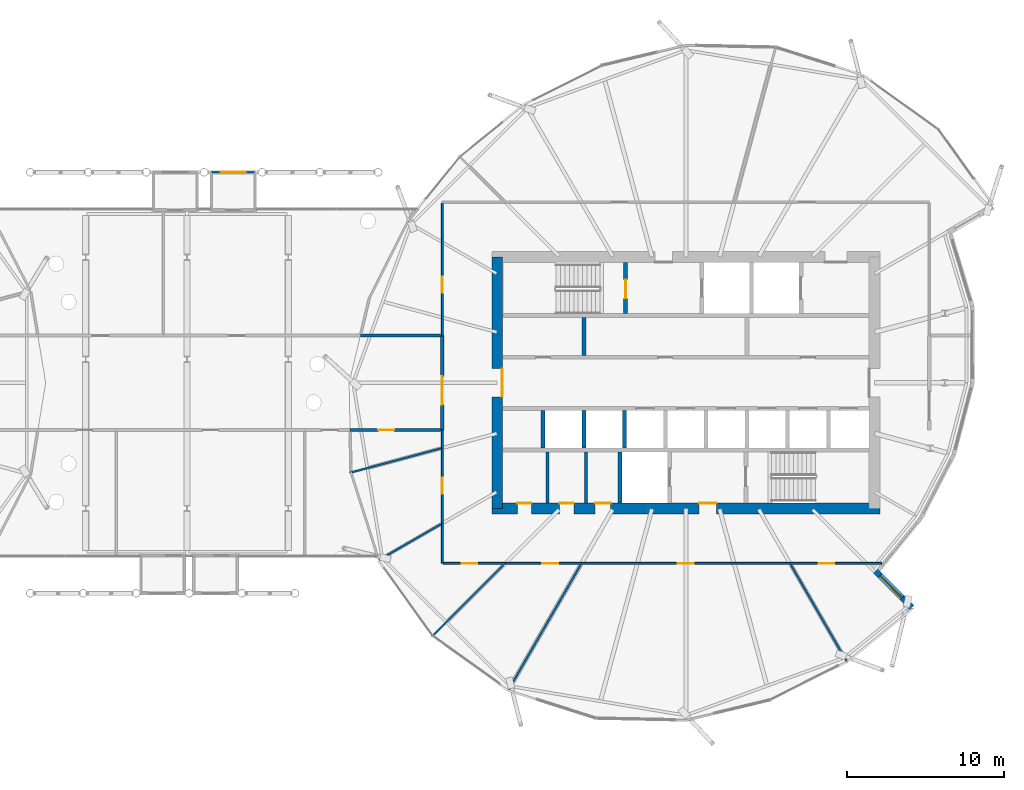
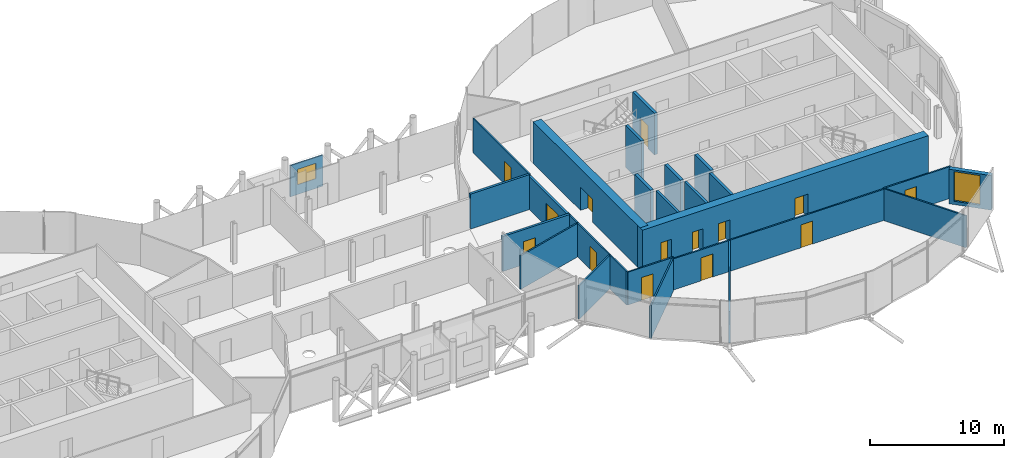
# One storey, part 27 of 39: 28 walls, 14 doors, 2 windows, 16 openings.
"""IFC4 building model written with IfcOpenShell, lengths in metres."""

from ifc_helpers import new_model, si_unit, direction, frame, frame_2d, origin, place, context, subcontext, project, spatial, rectangle, extrude, material, layer, layer_set, type_object, element, fill, save


model = new_model("IFC4")

# Units and contexts
model_context = context("Model", 3, precision=1e-05, world=origin(), true_north=direction((0.0, 1.0)))
body_context = subcontext(model_context, "Body", "Model", "MODEL_VIEW")
ifc_project = project(units=[si_unit("LENGTHUNIT", "METRE"), si_unit("AREAUNIT", "SQUARE_METRE"), si_unit("VOLUMEUNIT", "CUBIC_METRE"), si_unit("PLANEANGLEUNIT", "RADIAN"), si_unit("MASSUNIT", "GRAM", prefix="KILO")], contexts=[model_context])

# Site, building, storey
site_placement = place(None, origin())
site = spatial("IfcSite", under=ifc_project, at=site_placement, CompositionType="ELEMENT")
building_placement = place(site_placement, origin())
building = spatial("IfcBuilding", under=site, at=building_placement, Name="Rimbun Link Towers", CompositionType="ELEMENT")
storey_placement = place(building_placement, frame((0.0, 0.0, 143.0)))
storey = spatial("IfcBuildingStorey", under=building, at=storey_placement, Name="L34", CompositionType="ELEMENT", Elevation=143.0)

# Wall, opening, window
ifc_material_1 = material(Name="Terracotta-faced insulated sandwich panel", Category="masonry")
ifc_layer_1 = layer(ifc_material_1, 0.10009765625)
ifc_layer_set_1 = layer_set([ifc_layer_1], Name="CAPSULE shell panel 100")
wall_type_1 = type_object("IfcWallType", Name="CAPSULE shell panel 100", PredefinedType="STANDARD", material=ifc_layer_set_1)
wall_1_placement = place(storey_placement, frame((4.336669921875, 13.39990234375, -0.06005859375), z_axis=(0.0, 0.0, 1.0), x_axis=(-1.0, 0.0, 0.0)))
wall_1 = element("IfcWall", 1, at=wall_1_placement, inside=storey, type_object=wall_type_1, Name="CAPSULE F34.02 shell panel 2", PredefinedType="STANDARD", context=body_context, shape_type="SweptSolid", body=[
    extrude(rectangle(XDim=2.7998046875, YDim=0.10009765625, at=frame_2d((1.39990234375, 0.0))), origin(), (0.0, 0.0, 1.0), 2.85009765625),
])
opening_1_placement = place(wall_1_placement, frame((0.60009765625, 0.0, 0.89990234375)))
opening_1 = element("IfcOpeningElement", 2, at=opening_1_placement, cuts=wall_1, Name="Opening CN34.02", PredefinedType="OPENING", context=body_context, shape_type="SweptSolid", body=[
    extrude(rectangle(XDim=1.60009765625, YDim=1.39990234375, at=frame_2d((0.800048828125, 0.699951171875))), frame((0.0, 0.06005859375, 0.0), z_axis=(0.0, -1.0, 0.0), x_axis=(1.0, 0.0, 0.0)), (0.0, 0.0, 1.0), 0.1201171875),
])
ifc_material_2 = material(Name="Aluminium framed window, low-iron glass", Category="aluminium")
window_type_1 = type_object("IfcWindowType", Name="CAPSULE window 1600X1400", PartitioningType="SINGLE_PANEL", PredefinedType="WINDOW", material=ifc_material_2)
window_1_placement = place(opening_1_placement, origin())
window_1 = element("IfcWindow", 3, at=window_1_placement, inside=storey, type_object=window_type_1, Name="CAPSULE F34.02 window", OverallHeight=1.39990234375, OverallWidth=1.60009765625, PartitioningType="SINGLE_PANEL", PredefinedType="WINDOW", context=body_context, shape_type="SweptSolid", body=[
    extrude(rectangle(XDim=1.60009765625, YDim=1.39990234375, at=frame_2d((0.800048828125, 0.699951171875))), frame((0.0, 0.030029296875, 0.0), z_axis=(0.0, -1.0, 0.0), x_axis=(1.0, 0.0, 0.0)), (0.0, 0.0, 1.0), 0.06005859375),
])
fill(opening_1, window_1)

ifc_material_3 = material(Name="Dark enamelled glass spandrel on insulated aluminium backpan", Category="aluminium")
ifc_layer_2 = layer(ifc_material_3, 0.3701171875)
ifc_layer_set_2 = layer_set([ifc_layer_2], Name="CS dark enamelled spandrel wall 370")
wall_type_2 = type_object("IfcWallType", Name="CS dark enamelled spandrel wall 370", PredefinedType="STANDARD", material=ifc_layer_set_2)
wall_2_placement = place(storey_placement, frame((43.827880859375, -11.98583984375, 0.0), z_axis=(0.0, 0.0, 1.0), x_axis=(0.707106781187, -0.707106781187, 0.0)))
wall_2 = element("IfcWall", 4, at=wall_2_placement, inside=storey, type_object=wall_type_2, Name="Crease spandrel wall", PredefinedType="STANDARD", context=body_context, shape_type="SweptSolid", body=[
    extrude(rectangle(XDim=3.280029296875, YDim=0.3701171875, at=frame_2d((1.64013671875, 0.0))), origin(), (0.0, 0.0, 1.0), 3.156494140625),
])
opening_2_placement = place(wall_2_placement, frame((0.404296875, 0.0, 0.300048828125)))
opening_2 = element("IfcOpeningElement", 5, at=opening_2_placement, cuts=wall_2, Name="Opening WR20H270", PredefinedType="OPENING", context=body_context, shape_type="SweptSolid", body=[
    extrude(rectangle(XDim=2.0, YDim=2.699951171875, at=frame_2d((1.0, 1.35009765625))), frame((0.0, 0.195068359375, 0.0), z_axis=(0.0, -1.0, 0.0), x_axis=(1.0, 0.0, 0.0)), (0.0, 0.0, 1.0), 0.39013671875),
])
ifc_material_4 = material(Name="Aluminium framed fixed window, dark tinted low-e glass", Category="aluminium")
window_type_2 = type_object("IfcWindowType", Name="WR ribbon window 2000X2700", PartitioningType="SINGLE_PANEL", PredefinedType="WINDOW", material=ifc_material_4)
window_2_placement = place(opening_2_placement, origin())
window_2 = element("IfcWindow", 6, at=window_2_placement, inside=storey, type_object=window_type_2, Name="Crease ribbon window", OverallHeight=2.699951171875, OverallWidth=2.0, PartitioningType="SINGLE_PANEL", PredefinedType="WINDOW", context=body_context, shape_type="SweptSolid", body=[
    extrude(rectangle(XDim=2.0, YDim=2.699951171875, at=frame_2d((1.0, 1.35009765625))), frame((0.0, 0.030029296875, 0.0), z_axis=(0.0, -1.0, 0.0), x_axis=(1.0, 0.0, 0.0)), (0.0, 0.0, 1.0), 0.06005859375),
])
fill(opening_2, window_2)

# Walls
ifc_material_5 = material(Name="Masonry blockwork", Category="masonry")
ifc_layer_3 = layer(ifc_material_5, 0.199951171875)
ifc_layer_set_3 = layer_set([ifc_layer_3], Name="Core partition 200")
wall_type_3 = type_object("IfcWallType", Name="Core partition 200", PredefinedType="PARTITIONING", material=ifc_layer_set_3)
for number, where, z_axis, x_axis, name in (
    (7, (22.949951171875, -4.39990234375, 0.0), (0.0, 0.0, 1.0), (0.0, -1.0, 0.0), "L34 T2 core wall C1"),
    (8, (25.39990234375, -4.39990234375, 0.0), (0.0, 0.0, 1.0), (0.0, -1.0, 0.0), "L34 T2 core wall C2"),
):
    element("IfcWall", number, at=place(storey_placement, frame(where, z_axis=z_axis, x_axis=x_axis)), inside=storey, type_object=wall_type_3, Name=name, PredefinedType="PARTITIONING", context=body_context, shape_type="SweptSolid", body=[
        extrude(rectangle(XDim=3.25, YDim=0.199951171875, at=frame_2d((1.625, 0.0))), origin(), (0.0, 0.0, 1.0), 3.800048828125),
    ])

# Wall, openings, doors
ifc_material_6 = material(Name="Concrete C60/75", Category="concrete")
ifc_layer_4 = layer(ifc_material_6, 0.699951171875)
ifc_layer_set_4 = layer_set([ifc_layer_4], Name="Core shear wall 700")
wall_type_4 = type_object("IfcWallType", Name="Core shear wall 700", PredefinedType="SHEAR", material=ifc_layer_set_4)
wall_3_placement = place(storey_placement, frame((19.39990234375, -8.0, 0.0), z_axis=(0.0, 0.0, 1.0), x_axis=(1.0, 0.0, 0.0)))
wall_3 = element("IfcWall", 9, at=wall_3_placement, inside=storey, type_object=wall_type_4, Name="L34 T2 core wall S", PredefinedType="SHEAR", context=body_context, shape_type="SweptSolid", body=[
    extrude(rectangle(XDim=24.7001953125, YDim=0.699951171875, at=frame_2d((12.35009765625, 0.0))), origin(), (0.0, 0.0, 1.0), 3.800048828125),
])
opening_3_placement = place(wall_3_placement, frame((13.199951171875, 0.0, 0.0)))
opening_3 = element("IfcOpeningElement", 10, at=opening_3_placement, cuts=wall_3, Name="Opening C2DCF01S", PredefinedType="OPENING", context=body_context, shape_type="SweptSolid", body=[
    extrude(rectangle(XDim=1.10009765625, YDim=2.10009765625, at=frame_2d((0.550048828125, 1.050048828125))), frame((0.0, 0.35986328125, 0.0), z_axis=(0.0, -1.0, 0.0), x_axis=(1.0, 0.0, 0.0)), (0.0, 0.0, 1.0), 0.719970703125),
])
opening_4_placement = place(wall_3_placement, frame((1.625, 0.0, 0.0)))
opening_4 = element("IfcOpeningElement", 11, at=opening_4_placement, cuts=wall_3, Name="Opening C2DWC02S", PredefinedType="OPENING", context=body_context, shape_type="SweptSolid", body=[
    extrude(rectangle(XDim=0.89990234375, YDim=2.10009765625, at=frame_2d((0.449951171875, 1.050048828125))), frame((0.0, 0.35986328125, 0.0), z_axis=(0.0, -1.0, 0.0), x_axis=(1.0, 0.0, 0.0)), (0.0, 0.0, 1.0), 0.719970703125),
])
opening_5_placement = place(wall_3_placement, frame((4.324951171875, 0.0, 0.0)))
opening_5 = element("IfcOpeningElement", 12, at=opening_5_placement, cuts=wall_3, Name="Opening C2DWC03S", PredefinedType="OPENING", context=body_context, shape_type="SweptSolid", body=[
    extrude(rectangle(XDim=0.89990234375, YDim=2.10009765625, at=frame_2d((0.449951171875, 1.050048828125))), frame((0.0, 0.35986328125, 0.0), z_axis=(0.0, -1.0, 0.0), x_axis=(1.0, 0.0, 0.0)), (0.0, 0.0, 1.0), 0.719970703125),
])
opening_6_placement = place(wall_3_placement, frame((6.574951171875, 0.0, 0.0)))
opening_6 = element("IfcOpeningElement", 13, at=opening_6_placement, cuts=wall_3, Name="Opening C2DAW04S", PredefinedType="OPENING", context=body_context, shape_type="SweptSolid", body=[
    extrude(rectangle(XDim=1.0, YDim=2.10009765625, at=frame_2d((0.5, 1.050048828125))), frame((0.0, 0.35986328125, 0.0), z_axis=(0.0, -1.0, 0.0), x_axis=(1.0, 0.0, 0.0)), (0.0, 0.0, 1.0), 0.719970703125),
])
ifc_material_7 = material(Name="Timber", Category="wood")
door_type_1 = type_object("IfcDoorType", Name="Accessible WC door", OperationType="SINGLE_SWING_LEFT", PredefinedType="DOOR", material=ifc_material_7)
door_1_placement = place(opening_6_placement, origin())
door_1 = element("IfcDoor", 14, at=door_1_placement, inside=storey, type_object=door_type_1, Name="L34 T2 accessible wc door", OperationType="SINGLE_SWING_LEFT", OverallHeight=2.10009765625, OverallWidth=1.0, PredefinedType="DOOR", context=body_context, shape_type="SweptSolid", body=[
    extrude(rectangle(XDim=1.0, YDim=2.10009765625, at=frame_2d((0.5, 1.050048828125))), frame((0.0, 0.35009765625, 0.0), z_axis=(0.0, -1.0, 0.0), x_axis=(1.0, 0.0, 0.0)), (0.0, 0.0, 1.0), 0.050048828125),
])
fill(opening_6, door_1)
ifc_material_8 = material(Name="Steel fire door set", Category="steel")
door_type_2 = type_object("IfcDoorType", Name="Core fire door single", OperationType="SINGLE_SWING_LEFT", PredefinedType="DOOR", material=ifc_material_8)
door_2_placement = place(opening_3_placement, origin())
door_2 = element("IfcDoor", 15, at=door_2_placement, inside=storey, type_object=door_type_2, Name="L34 T2 firefighting lobby s door", OperationType="SINGLE_SWING_RIGHT", OverallHeight=2.10009765625, OverallWidth=1.10009765625, PredefinedType="DOOR", context=body_context, shape_type="SweptSolid", body=[
    extrude(rectangle(XDim=1.10009765625, YDim=2.10009765625, at=frame_2d((0.550048828125, 1.050048828125))), frame((0.0, 0.35009765625, 0.0), z_axis=(0.0, -1.0, 0.0), x_axis=(1.0, 0.0, 0.0)), (0.0, 0.0, 1.0), 0.050048828125),
])
fill(opening_3, door_2)
ifc_material_9 = material(Name="Timber", Category="wood")
door_type_3 = type_object("IfcDoorType", Name="WC door", OperationType="SINGLE_SWING_LEFT", PredefinedType="DOOR", material=ifc_material_9)
door_3_placement = place(opening_4_placement, origin())
door_3 = element("IfcDoor", 16, at=door_3_placement, inside=storey, type_object=door_type_3, Name="L34 T2 male wc door", OperationType="SINGLE_SWING_RIGHT", OverallHeight=2.10009765625, OverallWidth=0.89990234375, PredefinedType="DOOR", context=body_context, shape_type="SweptSolid", body=[
    extrude(rectangle(XDim=0.89990234375, YDim=2.10009765625, at=frame_2d((0.449951171875, 1.050048828125))), frame((0.0, 0.35009765625, 0.0), z_axis=(0.0, -1.0, 0.0), x_axis=(1.0, 0.0, 0.0)), (0.0, 0.0, 1.0), 0.050048828125),
])
fill(opening_4, door_3)
door_4_placement = place(opening_5_placement, origin())
door_4 = element("IfcDoor", 17, at=door_4_placement, inside=storey, type_object=door_type_3, Name="L34 T2 female wc door", OperationType="SINGLE_SWING_RIGHT", OverallHeight=2.10009765625, OverallWidth=0.89990234375, PredefinedType="DOOR", context=body_context, shape_type="SweptSolid", body=[
    extrude(rectangle(XDim=0.89990234375, YDim=2.10009765625, at=frame_2d((0.449951171875, 1.050048828125))), frame((0.0, 0.35009765625, 0.0), z_axis=(0.0, -1.0, 0.0), x_axis=(1.0, 0.0, 0.0)), (0.0, 0.0, 1.0), 0.050048828125),
])
fill(opening_5, door_4)

# Wall, opening, door
wall_4_placement = place(storey_placement, frame((19.75, -8.0, 0.0), z_axis=(0.0, 0.0, 1.0), x_axis=(0.0, 1.0, 0.0)))
wall_4 = element("IfcWall", 18, at=wall_4_placement, inside=storey, type_object=wall_type_4, Name="L34 T2 core wall W", PredefinedType="SHEAR", context=body_context, shape_type="SweptSolid", body=[
    extrude(rectangle(XDim=16.0, YDim=0.699951171875, at=frame_2d((8.0, 0.0))), origin(), (0.0, 0.0, 1.0), 3.800048828125),
])
opening_7_placement = place(wall_4_placement, frame((7.10009765625, 0.0, 0.0)))
opening_7 = element("IfcOpeningElement", 19, at=opening_7_placement, cuts=wall_4, Name="Opening C2DCL01W", PredefinedType="OPENING", context=body_context, shape_type="SweptSolid", body=[
    extrude(rectangle(XDim=1.800048828125, YDim=2.10009765625, at=frame_2d((0.89990234375, 1.050048828125))), frame((0.0, 0.35986328125, 0.0), z_axis=(0.0, -1.0, 0.0), x_axis=(1.0, 0.0, 0.0)), (0.0, 0.0, 1.0), 0.719970703125),
])
ifc_material_10 = material(Name="Steel fire door set", Category="steel")
door_type_4 = type_object("IfcDoorType", Name="Core lobby door double", OperationType="DOUBLE_DOOR_SINGLE_SWING", PredefinedType="DOOR", material=ifc_material_10)
door_5_placement = place(opening_7_placement, origin())
door_5 = element("IfcDoor", 20, at=door_5_placement, inside=storey, type_object=door_type_4, Name="L34 T2 lift lobby door", OperationType="DOUBLE_DOOR_SINGLE_SWING", OverallHeight=2.10009765625, OverallWidth=1.800048828125, PredefinedType="DOOR", context=body_context, shape_type="SweptSolid", body=[
    extrude(rectangle(XDim=1.800048828125, YDim=2.10009765625, at=frame_2d((0.89990234375, 1.050048828125))), frame((0.0, -0.2998046875, 0.0), z_axis=(0.0, -1.0, 0.0), x_axis=(1.0, 0.0, 0.0)), (0.0, 0.0, 1.0), 0.050048828125),
])
fill(opening_7, door_5)

ifc_material_11 = material(Name="Concrete blockwork", Category="masonry")
ifc_layer_5 = layer(ifc_material_11, 0.199951171875)
ifc_layer_set_5 = layer_set([ifc_layer_5], Name="Fire partition 200 blockwork")
wall_type_5 = type_object("IfcWallType", Name="Fire partition 200 blockwork", PredefinedType="PARTITIONING", material=ifc_layer_set_5)
wall_5_placement = place(storey_placement, frame((16.25, 3.0, 0.0), z_axis=(0.0, 0.0, 1.0), x_axis=(0.0, -1.0, 0.0)))
wall_5 = element("IfcWall", 21, at=wall_5_placement, inside=storey, type_object=wall_type_5, Name="TW/PW/L34/037", PredefinedType="PARTITIONING", context=body_context, shape_type="SweptSolid", body=[
    extrude(rectangle(XDim=6.0, YDim=0.199951171875, at=frame_2d((3.0, 0.0))), origin(), (0.0, 0.0, 1.0), 2.9970703125),
])
opening_8_placement = place(wall_5_placement, frame((2.594970703125, 0.0, 0.0)))
opening_8 = element("IfcOpeningElement", 22, at=opening_8_placement, cuts=wall_5, Name="Opening TW D34.27", PredefinedType="OPENING", context=body_context, shape_type="SweptSolid", body=[
    extrude(rectangle(XDim=1.800048828125, YDim=2.10009765625, at=frame_2d((0.89990234375, 1.050048828125))), frame((0.0, 0.10986328125, 0.0), z_axis=(0.0, -1.0, 0.0), x_axis=(1.0, 0.0, 0.0)), (0.0, 0.0, 1.0), 0.219970703125),
])
ifc_material_12 = material(Name="Steel fire door set", Category="steel")
door_type_5 = type_object("IfcDoorType", Name="Fire door double leaf 1800 x 2100", OperationType="NOTDEFINED", PredefinedType="DOOR", material=ifc_material_12)
door_6_placement = place(opening_8_placement, origin())
door_6 = element("IfcDoor", 23, at=door_6_placement, inside=storey, type_object=door_type_5, Name="TW/DR/L34/027", OperationType="DOUBLE_DOOR_SINGLE_SWING", OverallHeight=2.10009765625, OverallWidth=1.800048828125, PredefinedType="DOOR", context=body_context, shape_type="SweptSolid", body=[
    extrude(rectangle(XDim=1.800048828125, YDim=2.10009765625, at=frame_2d((0.89990234375, 1.050048828125))), frame((0.0, 0.02490234375, 0.0), z_axis=(0.0, -1.0, 0.0), x_axis=(1.0, 0.0, 0.0)), (0.0, 0.0, 1.0), 0.050048828125),
])
fill(opening_8, door_6)

wall_6_placement = place(storey_placement, frame((10.382080078125, -3.0, 0.0), z_axis=(0.0, 0.0, 1.0), x_axis=(1.0, 0.0, 0.0)))
wall_6 = element("IfcWall", 24, at=wall_6_placement, inside=storey, type_object=wall_type_5, Name="TW/PW/L34/051", PredefinedType="PARTITIONING", context=body_context, shape_type="SweptSolid", body=[
    extrude(rectangle(XDim=5.767822265625, YDim=0.199951171875, at=frame_2d((2.8837890625, 0.0))), origin(), (0.0, 0.0, 1.0), 3.194091796875),
])
opening_9_placement = place(wall_6_placement, frame((1.803955078125, 0.0, 0.0)))
opening_9 = element("IfcOpeningElement", 25, at=opening_9_placement, cuts=wall_6, Name="Opening TW D34.17", PredefinedType="OPENING", context=body_context, shape_type="SweptSolid", body=[
    extrude(rectangle(XDim=1.0, YDim=2.10009765625, at=frame_2d((0.5, 1.050048828125))), frame((0.0, 0.10986328125, 0.0), z_axis=(0.0, -1.0, 0.0), x_axis=(1.0, 0.0, 0.0)), (0.0, 0.0, 1.0), 0.219970703125),
])
ifc_material_13 = material(Name="Steel fire door set", Category="steel")
door_type_6 = type_object("IfcDoorType", Name="Fire door single leaf 1000 x 2100", OperationType="NOTDEFINED", PredefinedType="DOOR", material=ifc_material_13)
door_7_placement = place(opening_9_placement, origin())
door_7 = element("IfcDoor", 26, at=door_7_placement, inside=storey, type_object=door_type_6, Name="TW/DR/L34/017", OperationType="SINGLE_SWING_RIGHT", OverallHeight=2.10009765625, OverallWidth=1.0, PredefinedType="DOOR", context=body_context, shape_type="SweptSolid", body=[
    extrude(rectangle(XDim=1.0, YDim=2.10009765625, at=frame_2d((0.5, 1.050048828125))), frame((0.0, 0.02490234375, 0.0), z_axis=(0.0, -1.0, 0.0), x_axis=(1.0, 0.0, 0.0)), (0.0, 0.0, 1.0), 0.050048828125),
])
fill(opening_9, door_7)

# Wall
wall_7_placement = place(storey_placement, frame((16.14990234375, 3.0, 0.0), z_axis=(0.0, 0.0, 1.0), x_axis=(-1.0, 0.0, 0.0)))
element("IfcWall", 27, at=wall_7_placement, inside=storey, type_object=wall_type_5, Name="TW/PW/L34/052", PredefinedType="PARTITIONING", context=body_context, shape_type="SweptSolid", body=[
    extrude(rectangle(XDim=5.11376953125, YDim=0.199951171875, at=frame_2d((2.556884765625, 0.0))), origin(), (0.0, 0.0, 1.0), 3.194091796875),
])

# Wall, opening, door
ifc_material_14 = material(Name="Gypsum board on steel studs", Category="steel")
ifc_layer_6 = layer(ifc_material_14, 0.125)
ifc_layer_set_6 = layer_set([ifc_layer_6], Name="Partition 125 board on studs")
wall_type_6 = type_object("IfcWallType", Name="Partition 125 board on studs", PredefinedType="PARTITIONING", material=ifc_layer_set_6)
wall_8_placement = place(storey_placement, frame((16.25, -4.1533203125, 0.0), z_axis=(0.0, 0.0, 1.0), x_axis=(0.0, -1.0, 0.0)))
wall_8 = element("IfcWall", 28, at=wall_8_placement, inside=storey, type_object=wall_type_6, Name="TW/PW/L34/038", PredefinedType="PARTITIONING", context=body_context, shape_type="SweptSolid", body=[
    extrude(rectangle(XDim=4.795654296875, YDim=0.125, at=frame_2d((2.39794921875, 0.0))), origin(), (0.0, 0.0, 1.0), 3.06689453125),
])
opening_10_placement = place(wall_8_placement, frame((1.89794921875, 0.0, 0.0)))
opening_10 = element("IfcOpeningElement", 29, at=opening_10_placement, cuts=wall_8, Name="Opening TW D34.10", PredefinedType="OPENING", context=body_context, shape_type="SweptSolid", body=[
    extrude(rectangle(XDim=1.0, YDim=2.10009765625, at=frame_2d((0.5, 1.050048828125))), frame((0.0, 0.072509765625, 0.0), z_axis=(0.0, -1.0, 0.0), x_axis=(1.0, 0.0, 0.0)), (0.0, 0.0, 1.0), 0.14501953125),
])
ifc_material_15 = material(Name="Timber door set", Category="wood")
door_type_7 = type_object("IfcDoorType", Name="Door single leaf 1000 x 2100", OperationType="NOTDEFINED", PredefinedType="DOOR", material=ifc_material_15)
door_8_placement = place(opening_10_placement, origin())
door_8 = element("IfcDoor", 30, at=door_8_placement, inside=storey, type_object=door_type_7, Name="TW/DR/L34/010", OperationType="SINGLE_SWING_LEFT", OverallHeight=2.10009765625, OverallWidth=1.0, PredefinedType="DOOR", context=body_context, shape_type="SweptSolid", body=[
    extrude(rectangle(XDim=1.0, YDim=2.10009765625, at=frame_2d((0.5, 1.050048828125))), frame((0.0, 0.02490234375, 0.0), z_axis=(0.0, -1.0, 0.0), x_axis=(1.0, 0.0, 0.0)), (0.0, 0.0, 1.0), 0.050048828125),
])
fill(opening_10, door_8)

# Wall
wall_9_placement = place(storey_placement, frame((16.25, -8.948974609375, 0.0), z_axis=(0.0, 0.0, 1.0), x_axis=(0.0, -1.0, 0.0)))
element("IfcWall", 31, at=wall_9_placement, inside=storey, type_object=wall_type_6, Name="TW/PW/L34/039", PredefinedType="PARTITIONING", context=body_context, shape_type="SweptSolid", body=[
    extrude(rectangle(XDim=2.551025390625, YDim=0.125, at=frame_2d((1.275390625, 0.0))), origin(), (0.0, 0.0, 1.0), 3.06689453125),
])

# Wall, opening, door
wall_10_placement = place(storey_placement, frame((16.3125, -11.5, 0.0), z_axis=(0.0, 0.0, 1.0), x_axis=(1.0, 0.0, 0.0)))
wall_10 = element("IfcWall", 32, at=wall_10_placement, inside=storey, type_object=wall_type_6, Name="TW/PW/L34/040", PredefinedType="PARTITIONING", context=body_context, shape_type="SweptSolid", body=[
    extrude(rectangle(XDim=3.9375, YDim=0.125, at=frame_2d((1.96875, 0.0))), origin(), (0.0, 0.0, 1.0), 2.9970703125),
])
opening_11_placement = place(wall_10_placement, frame((1.1630859375, 0.0, 0.0)))
opening_11 = element("IfcOpeningElement", 33, at=opening_11_placement, cuts=wall_10, Name="Opening TW D34.11", PredefinedType="OPENING", context=body_context, shape_type="SweptSolid", body=[
    extrude(rectangle(XDim=1.0, YDim=2.10009765625, at=frame_2d((0.5, 1.050048828125))), frame((0.0, 0.072509765625, 0.0), z_axis=(0.0, -1.0, 0.0), x_axis=(1.0, 0.0, 0.0)), (0.0, 0.0, 1.0), 0.14501953125),
])
door_9_placement = place(opening_11_placement, origin())
door_9 = element("IfcDoor", 34, at=door_9_placement, inside=storey, type_object=door_type_7, Name="TW/DR/L34/011", OperationType="SINGLE_SWING_RIGHT", OverallHeight=2.10009765625, OverallWidth=1.0, PredefinedType="DOOR", context=body_context, shape_type="SweptSolid", body=[
    extrude(rectangle(XDim=1.0, YDim=2.10009765625, at=frame_2d((0.5, 1.050048828125))), frame((0.0, 0.02490234375, 0.0), z_axis=(0.0, -1.0, 0.0), x_axis=(1.0, 0.0, 0.0)), (0.0, 0.0, 1.0), 0.050048828125),
])
fill(opening_11, door_9)

wall_11_placement = place(storey_placement, frame((20.25, -11.5, 0.0), z_axis=(0.0, 0.0, 1.0), x_axis=(1.0, 0.0, 0.0)))
wall_11 = element("IfcWall", 35, at=wall_11_placement, inside=storey, type_object=wall_type_6, Name="TW/PW/L34/041", PredefinedType="PARTITIONING", context=body_context, shape_type="SweptSolid", body=[
    extrude(rectangle(XDim=4.860595703125, YDim=0.125, at=frame_2d((2.43017578125, 0.0))), origin(), (0.0, 0.0, 1.0), 2.837890625),
])
opening_12_placement = place(wall_11_placement, frame((2.3740234375, 0.0, 0.0)))
opening_12 = element("IfcOpeningElement", 36, at=opening_12_placement, cuts=wall_11, Name="Opening TW D34.12", PredefinedType="OPENING", context=body_context, shape_type="SweptSolid", body=[
    extrude(rectangle(XDim=1.0, YDim=2.10009765625, at=frame_2d((0.5, 1.050048828125))), frame((0.0, 0.072509765625, 0.0), z_axis=(0.0, -1.0, 0.0), x_axis=(1.0, 0.0, 0.0)), (0.0, 0.0, 1.0), 0.14501953125),
])
door_10_placement = place(opening_12_placement, origin())
door_10 = element("IfcDoor", 37, at=door_10_placement, inside=storey, type_object=door_type_7, Name="TW/DR/L34/012", OperationType="SINGLE_SWING_LEFT", OverallHeight=2.10009765625, OverallWidth=1.0, PredefinedType="DOOR", context=body_context, shape_type="SweptSolid", body=[
    extrude(rectangle(XDim=1.0, YDim=2.10009765625, at=frame_2d((0.5, 1.050048828125))), frame((0.0, 0.02490234375, 0.0), z_axis=(0.0, -1.0, 0.0), x_axis=(1.0, 0.0, 0.0)), (0.0, 0.0, 1.0), 0.050048828125),
])
fill(opening_12, door_10)

wall_12_placement = place(storey_placement, frame((25.110595703125, -11.5, 0.0), z_axis=(0.0, 0.0, 1.0), x_axis=(1.0, 0.0, 0.0)))
wall_12 = element("IfcWall", 38, at=wall_12_placement, inside=storey, type_object=wall_type_6, Name="TW/PW/L34/042", PredefinedType="PARTITIONING", context=body_context, shape_type="SweptSolid", body=[
    extrude(rectangle(XDim=13.27880859375, YDim=0.125, at=frame_2d((6.639404296875, 0.0))), origin(), (0.0, 0.0, 1.0), 2.837890625),
])
opening_13_placement = place(wall_12_placement, frame((6.139892578125, 0.0, 0.0)))
opening_13 = element("IfcOpeningElement", 39, at=opening_13_placement, cuts=wall_12, Name="Opening TW D34.13", PredefinedType="OPENING", context=body_context, shape_type="SweptSolid", body=[
    extrude(rectangle(XDim=1.0, YDim=2.10009765625, at=frame_2d((0.5, 1.050048828125))), frame((0.0, 0.072509765625, 0.0), z_axis=(0.0, -1.0, 0.0), x_axis=(1.0, 0.0, 0.0)), (0.0, 0.0, 1.0), 0.14501953125),
])
door_11_placement = place(opening_13_placement, origin())
door_11 = element("IfcDoor", 40, at=door_11_placement, inside=storey, type_object=door_type_7, Name="TW/DR/L34/013", OperationType="SINGLE_SWING_RIGHT", OverallHeight=2.10009765625, OverallWidth=1.0, PredefinedType="DOOR", context=body_context, shape_type="SweptSolid", body=[
    extrude(rectangle(XDim=1.0, YDim=2.10009765625, at=frame_2d((0.5, 1.050048828125))), frame((0.0, 0.02490234375, 0.0), z_axis=(0.0, -1.0, 0.0), x_axis=(1.0, 0.0, 0.0)), (0.0, 0.0, 1.0), 0.050048828125),
])
fill(opening_13, door_11)

wall_13_placement = place(storey_placement, frame((38.389404296875, -11.5, 0.0), z_axis=(0.0, 0.0, 1.0), x_axis=(1.0, 0.0, 0.0)))
wall_13 = element("IfcWall", 41, at=wall_13_placement, inside=storey, type_object=wall_type_6, Name="TW/PW/L34/043", PredefinedType="PARTITIONING", context=body_context, shape_type="SweptSolid", body=[
    extrude(rectangle(XDim=5.827392578125, YDim=0.125, at=frame_2d((2.91357421875, 0.0))), origin(), (0.0, 0.0, 1.0), 2.9169921875),
])
opening_14_placement = place(wall_13_placement, frame((1.824951171875, 0.0, 0.0)))
opening_14 = element("IfcOpeningElement", 42, at=opening_14_placement, cuts=wall_13, Name="Opening TW D34.14", PredefinedType="OPENING", context=body_context, shape_type="SweptSolid", body=[
    extrude(rectangle(XDim=1.0, YDim=2.10009765625, at=frame_2d((0.5, 1.050048828125))), frame((0.0, 0.072509765625, 0.0), z_axis=(0.0, -1.0, 0.0), x_axis=(1.0, 0.0, 0.0)), (0.0, 0.0, 1.0), 0.14501953125),
])
door_12_placement = place(opening_14_placement, origin())
door_12 = element("IfcDoor", 43, at=door_12_placement, inside=storey, type_object=door_type_7, Name="TW/DR/L34/014", OperationType="SINGLE_SWING_LEFT", OverallHeight=2.10009765625, OverallWidth=1.0, PredefinedType="DOOR", context=body_context, shape_type="SweptSolid", body=[
    extrude(rectangle(XDim=1.0, YDim=2.10009765625, at=frame_2d((0.5, 1.050048828125))), frame((0.0, 0.02490234375, 0.0), z_axis=(0.0, -1.0, 0.0), x_axis=(1.0, 0.0, 0.0)), (0.0, 0.0, 1.0), 0.050048828125),
])
fill(opening_14, door_12)

# Wall
wall_14_placement = place(storey_placement, frame((16.25, -3.0, 0.0), z_axis=(0.0, 0.0, 1.0), x_axis=(0.0, -1.0, 0.0)))
element("IfcWall", 44, at=wall_14_placement, inside=storey, type_object=wall_type_6, Name="TW/PW/L34/047", PredefinedType="PARTITIONING", context=body_context, shape_type="SweptSolid", body=[
    extrude(rectangle(XDim=1.1533203125, YDim=0.125, at=frame_2d((0.57666015625, 0.0))), origin(), (0.0, 0.0, 1.0), 3.06689453125),
])

# Wall, opening, door
wall_15_placement = place(storey_placement, frame((16.25, 11.4375, 0.0), z_axis=(0.0, 0.0, 1.0), x_axis=(0.0, -1.0, 0.0)))
wall_15 = element("IfcWall", 45, at=wall_15_placement, inside=storey, type_object=wall_type_6, Name="TW/PW/L34/049", PredefinedType="PARTITIONING", context=body_context, shape_type="SweptSolid", body=[
    extrude(rectangle(XDim=8.4375, YDim=0.125, at=frame_2d((4.21875, 0.0))), origin(), (0.0, 0.0, 1.0), 3.14697265625),
])
opening_15_placement = place(wall_15_placement, frame((4.698974609375, 0.0, 0.0)))
opening_15 = element("IfcOpeningElement", 46, at=opening_15_placement, cuts=wall_15, Name="Opening TW D34.18", PredefinedType="OPENING", context=body_context, shape_type="SweptSolid", body=[
    extrude(rectangle(XDim=1.0, YDim=2.10009765625, at=frame_2d((0.5, 1.050048828125))), frame((0.0, 0.072509765625, 0.0), z_axis=(0.0, -1.0, 0.0), x_axis=(1.0, 0.0, 0.0)), (0.0, 0.0, 1.0), 0.14501953125),
])
door_13_placement = place(opening_15_placement, origin())
door_13 = element("IfcDoor", 47, at=door_13_placement, inside=storey, type_object=door_type_7, Name="TW/DR/L34/018", OperationType="SINGLE_SWING_LEFT", OverallHeight=2.10009765625, OverallWidth=1.0, PredefinedType="DOOR", context=body_context, shape_type="SweptSolid", body=[
    extrude(rectangle(XDim=1.0, YDim=2.10009765625, at=frame_2d((0.5, 1.050048828125))), frame((0.0, 0.02490234375, 0.0), z_axis=(0.0, -1.0, 0.0), x_axis=(1.0, 0.0, 0.0)), (0.0, 0.0, 1.0), 0.050048828125),
])
fill(opening_15, door_13)

# Walls
wall_16_placement = place(storey_placement, frame((12.210693359375, -11.281005859375, 0.0), z_axis=(0.0, 0.0, 1.0), x_axis=(0.866038344573, 0.499977585228, 0.0)))
element("IfcWall", 48, at=wall_16_placement, inside=storey, type_object=wall_type_6, Name="TW/PW/L34/053", PredefinedType="PARTITIONING", context=body_context, shape_type="SweptSolid", body=[
    extrude(rectangle(XDim=4.555908203125, YDim=0.125, at=frame_2d((2.27783203125, 0.0))), origin(), (0.0, 0.0, 1.0), 3.06689453125),
])
wall_17_placement = place(storey_placement, frame((16.17138671875, -4.17431640625, 0.0), z_axis=(0.0, 0.0, 1.0), x_axis=(-0.965927033719, -0.258814538872, 0.0)))
element("IfcWall", 49, at=wall_17_placement, inside=storey, type_object=wall_type_6, Name="TW/PW/L34/054", PredefinedType="PARTITIONING", context=body_context, shape_type="SweptSolid", body=[
    extrude(rectangle(XDim=6.014404296875, YDim=0.125, at=frame_2d((3.00732421875, 0.0))), origin(), (0.0, 0.0, 1.0), 3.06689453125),
])
wall_18_placement = place(storey_placement, frame((15.604248046875, -16.145751953125, 0.0), z_axis=(0.0, 0.0, 1.0), x_axis=(0.707106781187, 0.707106781187, 0.0)))
element("IfcWall", 50, at=wall_18_placement, inside=storey, type_object=wall_type_6, Name="TW/PW/L34/056", PredefinedType="PARTITIONING", context=body_context, shape_type="SweptSolid", body=[
    extrude(rectangle(XDim=6.419189453125, YDim=0.125, at=frame_2d((3.20947265625, 0.0))), origin(), (0.0, 0.0, 1.0), 2.9970703125),
])
wall_19_placement = place(storey_placement, frame((20.428955078125, -19.608642578125, 0.0), z_axis=(0.0, 0.0, 1.0), x_axis=(0.500003324108, 0.866023484601, 0.0)))
element("IfcWall", 51, at=wall_19_placement, inside=storey, type_object=wall_type_6, Name="TW/PW/L34/057", PredefinedType="PARTITIONING", context=body_context, shape_type="SweptSolid", body=[
    extrude(rectangle(XDim=9.2548828125, YDim=0.125, at=frame_2d((4.62744140625, 0.0))), origin(), (0.0, 0.0, 1.0), 2.837890625),
])
wall_20_placement = place(storey_placement, frame((41.9775390625, -17.714599609375, 0.0), z_axis=(0.0, 0.0, 1.0), x_axis=(-0.500006513054, 0.866021643438, 0.0)))
element("IfcWall", 52, at=wall_20_placement, inside=storey, type_object=wall_type_6, Name="TW/PW/L34/058", PredefinedType="PARTITIONING", context=body_context, shape_type="SweptSolid", body=[
    extrude(rectangle(XDim=7.06787109375, YDim=0.125, at=frame_2d((3.533935546875, 0.0))), origin(), (0.0, 0.0, 1.0), 2.9169921875),
])
ifc_material_16 = material(Name="Concrete C60/75", Category="concrete")
ifc_layer_7 = layer(ifc_material_16, 0.25)
ifc_layer_set_7 = layer_set([ifc_layer_7], Name="Shaft wall 250")
wall_type_7 = type_object("IfcWallType", Name="Shaft wall 250", PredefinedType="SHEAR", material=ifc_layer_set_7)
for number, where, z_axis, x_axis, name in (
    (53, (25.263916015625, 1.75, 0.0), (0.0, 0.0, 1.0), (0.0, 1.0, 0.0), "L34 T2 core wall DN1"),
    (54, (22.66943359375, -4.14990234375, 0.0), (0.0, 0.0, 1.0), (0.0, 1.0, 0.0), "L34 T2 core wall DS0"),
    (55, (25.263916015625, -4.14990234375, 0.0), (0.0, 0.0, 1.0), (0.0, 1.0, 0.0), "L34 T2 core wall DS1"),
    (56, (27.8583984375, -4.14990234375, 0.0), (0.0, 0.0, 1.0), (0.0, 1.0, 0.0), "L34 T2 core wall DS2"),
):
    element("IfcWall", number, at=place(storey_placement, frame(where, z_axis=z_axis, x_axis=x_axis)), inside=storey, type_object=wall_type_7, Name=name, PredefinedType="SHEAR", context=body_context, shape_type="SweptSolid", body=[
        extrude(rectangle(XDim=2.39990234375, YDim=0.25, at=frame_2d((1.199951171875, 0.0))), origin(), (0.0, 0.0, 1.0), 3.800048828125),
    ])

# Wall, opening, door
wall_21_placement = place(storey_placement, frame((27.925048828125, 4.39990234375, 0.0), z_axis=(0.0, 0.0, 1.0), x_axis=(0.0, 1.0, 0.0)))
wall_21 = element("IfcWall", 57, at=wall_21_placement, inside=storey, type_object=wall_type_7, Name="L34 T2 core wall A1", PredefinedType="SHEAR", context=body_context, shape_type="SweptSolid", body=[
    extrude(rectangle(XDim=3.25, YDim=0.25, at=frame_2d((1.625, 0.0))), origin(), (0.0, 0.0, 1.0), 3.800048828125),
])
opening_16_placement = place(wall_21_placement, frame((0.97509765625, 0.0, 0.0)))
opening_16 = element("IfcOpeningElement", 58, at=opening_16_placement, cuts=wall_21, Name="Opening C2DST01A1", PredefinedType="OPENING", context=body_context, shape_type="SweptSolid", body=[
    extrude(rectangle(XDim=1.199951171875, YDim=2.10009765625, at=frame_2d((0.60009765625, 1.050048828125))), frame((0.0, 0.135009765625, 0.0), z_axis=(0.0, -1.0, 0.0), x_axis=(1.0, 0.0, 0.0)), (0.0, 0.0, 1.0), 0.27001953125),
])
ifc_material_17 = material(Name="Steel fire door set", Category="steel")
door_type_8 = type_object("IfcDoorType", Name="Stair door", OperationType="SINGLE_SWING_LEFT", PredefinedType="DOOR", material=ifc_material_17)
door_14_placement = place(opening_16_placement, origin())
door_14 = element("IfcDoor", 59, at=door_14_placement, inside=storey, type_object=door_type_8, Name="L34 T2 stair a door", OperationType="SINGLE_SWING_RIGHT", OverallHeight=2.10009765625, OverallWidth=1.199951171875, PredefinedType="DOOR", context=body_context, shape_type="SweptSolid", body=[
    extrude(rectangle(XDim=1.199951171875, YDim=2.10009765625, at=frame_2d((0.60009765625, 1.050048828125))), frame((0.0, 0.02490234375, 0.0), z_axis=(0.0, -1.0, 0.0), x_axis=(1.0, 0.0, 0.0)), (0.0, 0.0, 1.0), 0.050048828125),
])
fill(opening_16, door_14)

# Wall
wall_22_placement = place(storey_placement, frame((27.574951171875, -4.39990234375, 0.0), z_axis=(0.0, 0.0, 1.0), x_axis=(0.0, -1.0, 0.0)))
element("IfcWall", 60, at=wall_22_placement, inside=storey, type_object=wall_type_7, Name="L34 T2 core wall B3", PredefinedType="SHEAR", context=body_context, shape_type="SweptSolid", body=[
    extrude(rectangle(XDim=3.25, YDim=0.25, at=frame_2d((1.625, 0.0))), origin(), (0.0, 0.0, 1.0), 3.800048828125),
])

save(model, "model.ifc")
